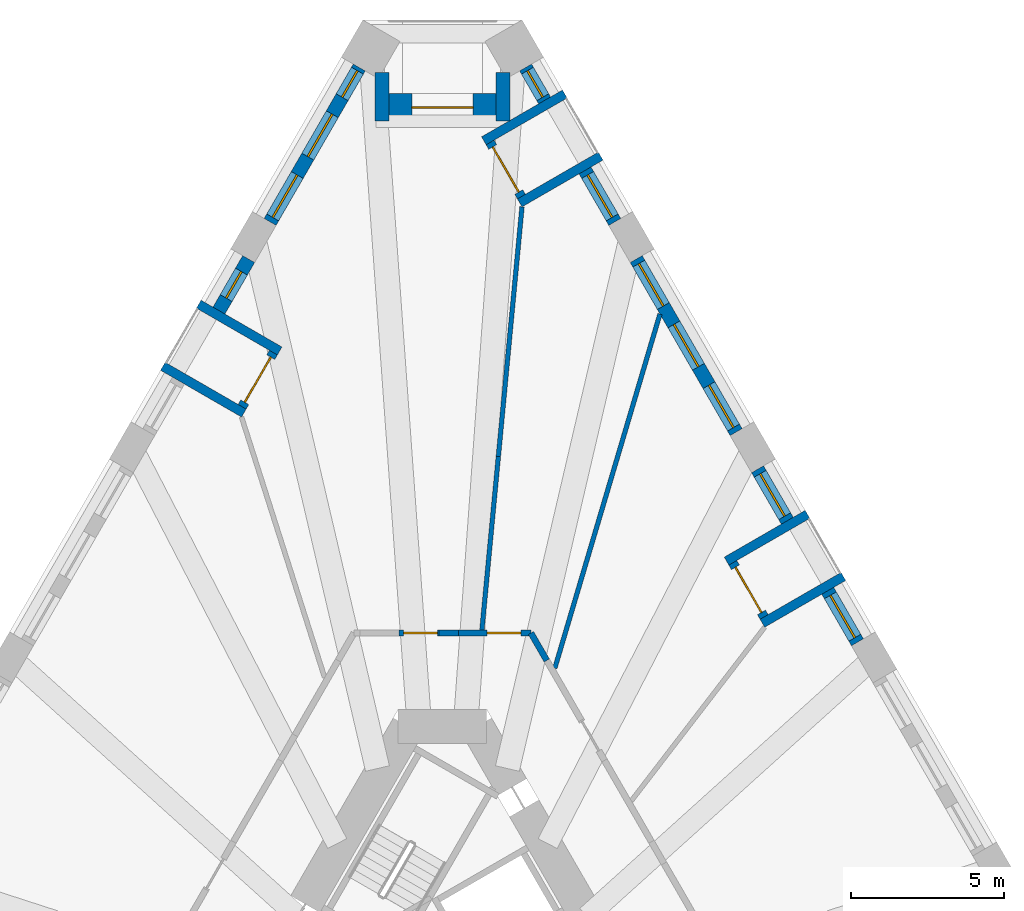
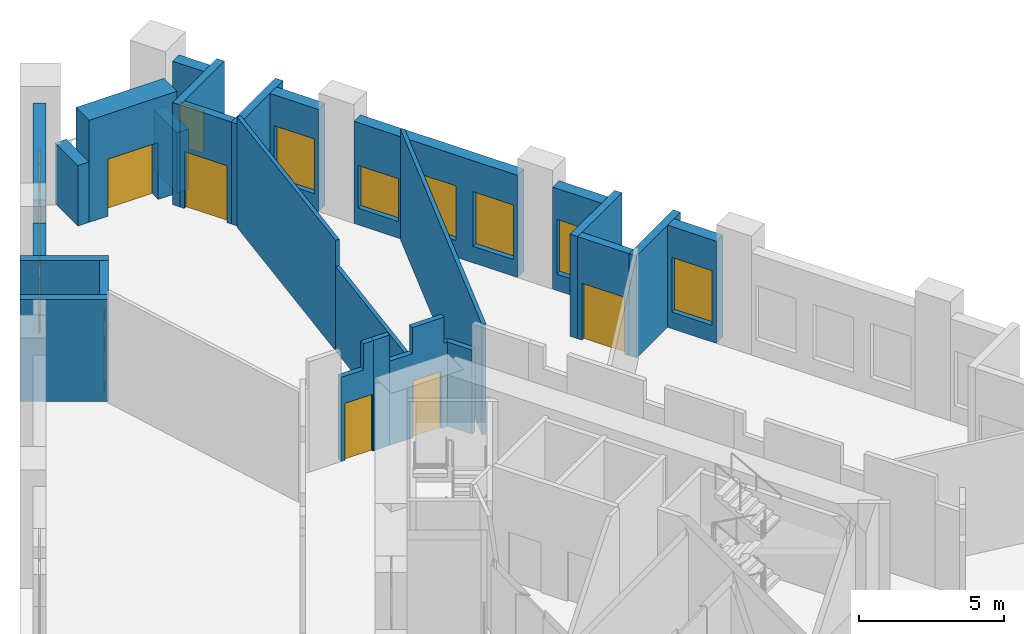
# One storey, part 7 of 12: 26 walls, 11 windows, 6 doors, 17 openings.
"""IFC4 building model written with IfcOpenShell, lengths in metres."""

import ifcopenshell
import ifcopenshell.guid

model = None  # the IFC model being written
_history = None  # IfcOwnerHistory: only IFC2X3 demands one
_inside = {}  # id of a spatial element -> (the spatial element, [elements in it])
_under = {}  # id of a project, library or spatial element -> (it, [spatial elements below it])
_declared = {}  # id of a project -> (the project, [libraries it declares])
_typed = {}  # id of a type object -> (the type object, [elements of that type])
_made_of = {}  # id of a material, layer set ... -> (it, [elements and type objects made of it])


def new_model(schema):
    """Start an empty IFC model of exactly this schema.

    Asked for "IFC4X3", IfcOpenShell would pick the latest addendum, in which some entities
    have other attributes; the version numbers below select the first issue.
    IFC2X3 requires an IfcOwnerHistory on every rooted entity: one is made here for all.
    """
    global model, _history
    if schema == "IFC4X3":
        model = ifcopenshell.file(schema_version=(4, 3, 0, 0))
    else:
        model = ifcopenshell.file(schema=schema)
    _inside.clear()
    _under.clear()
    _declared.clear()
    _typed.clear()
    _made_of.clear()
    _history = None
    if model.schema == "IFC2X3":
        org = make("IfcOrganization", Name="unknown")
        user = make(
            "IfcPersonAndOrganization",
            ThePerson=make("IfcPerson", FamilyName="unknown"),
            TheOrganization=org,
        )
        app = make(
            "IfcApplication",
            ApplicationDeveloper=org,
            Version="unknown",
            ApplicationFullName="unknown",
            ApplicationIdentifier="unknown",
        )
        _history = make(
            "IfcOwnerHistory",
            OwningUser=user,
            OwningApplication=app,
            ChangeAction="ADDED",
            CreationDate=0,
        )
    return model


def make(cls, **values):
    """One entity of the class cls with the attributes given. An attribute that is None is left unset."""
    return model.create_entity(
        cls, **{name: value for name, value in values.items() if value is not None}
    )


def rooted(cls, **values):
    """An entity with a GlobalId (a new one), such as an element, a storey or a relation."""
    return make(cls, GlobalId=ifcopenshell.guid.new(), OwnerHistory=_history, **values)


def si_unit(unit_type, name, prefix=None):
    """IfcSIUnit, for example si_unit("LENGTHUNIT", "METRE", prefix="MILLI")."""
    return make("IfcSIUnit", UnitType=unit_type, Prefix=prefix, Name=name)


def assignment(units):
    """IfcUnitAssignment: the units of a project."""
    return None if units is None else make("IfcUnitAssignment", Units=units)


def point(xyz):
    """IfcCartesianPoint."""
    return None if xyz is None else make("IfcCartesianPoint", Coordinates=xyz)


def direction(xyz):
    """IfcDirection."""
    return None if xyz is None else make("IfcDirection", DirectionRatios=xyz)


def frame(location, z_axis=None, x_axis=None):
    """IfcAxis2Placement3D, a coordinate frame: its origin and axes. An axis left out is left unset."""
    return make(
        "IfcAxis2Placement3D",
        Location=point(location),
        Axis=direction(z_axis),
        RefDirection=direction(x_axis),
    )


def frame_2d(location, x_axis=None):
    """IfcAxis2Placement2D, a coordinate frame in the plane: its origin and x axis."""
    return make(
        "IfcAxis2Placement2D", Location=point(location), RefDirection=direction(x_axis)
    )


def origin():
    """The frame at (0, 0, 0) with its axes left unset."""
    return frame((0.0, 0.0, 0.0))


def place(relative_to, where):
    """IfcLocalPlacement: puts the frame where relative to a parent placement (None: the world)."""
    return make(
        "IfcLocalPlacement", PlacementRelTo=relative_to, RelativePlacement=where
    )


def context(
    kind, dimensions, precision=None, world=None, true_north=None, identifier=None
):
    """IfcGeometricRepresentationContext, for example the 3D "Model" context."""
    return make(
        "IfcGeometricRepresentationContext",
        ContextIdentifier=identifier,
        ContextType=kind,
        CoordinateSpaceDimension=dimensions,
        Precision=precision,
        WorldCoordinateSystem=world,
        TrueNorth=true_north,
    )


def subcontext(parent, identifier, kind, view, scale=None):
    """IfcGeometricRepresentationSubContext, for example "Body" below "Model"."""
    return make(
        "IfcGeometricRepresentationSubContext",
        ContextIdentifier=identifier,
        ContextType=kind,
        ParentContext=parent,
        TargetScale=scale,
        TargetView=view,
    )


def project(units=None, contexts=None):
    """IfcProject with its units and contexts."""
    return rooted(
        "IfcProject",
        Name="project",
        RepresentationContexts=contexts,
        UnitsInContext=assignment(units),
    )


def spatial(cls, under=None, at=None, **own):
    """A site, building, storey or space (cls), placed at a placement, below another one or the project."""
    s = rooted(cls, ObjectPlacement=at, **own)
    if under is not None:
        _under.setdefault(under.id(), (under, []))[1].append(s)
    return s


def polyline(points):
    """IfcPolyline through the points."""
    return make("IfcPolyline", Points=[point(p) for p in points])


def profile(cls, at=None, kind="AREA", **sizes):
    """A parametric profile (cls). Its sizes go by their IFC names, for example OverallWidth=200.0."""
    return make(cls, ProfileType=kind, Position=at, **sizes)


def rectangle(**sizes):
    """IfcRectangleProfileDef."""
    return profile("IfcRectangleProfileDef", **sizes)


def outline(outer, holes=None, kind="AREA"):
    """IfcArbitraryClosedProfileDef: a profile drawn as a closed curve; with holes, ...WithVoids."""
    if holes is None:
        return make("IfcArbitraryClosedProfileDef", ProfileType=kind, OuterCurve=outer)
    return make(
        "IfcArbitraryProfileDefWithVoids",
        ProfileType=kind,
        OuterCurve=outer,
        InnerCurves=holes,
    )


def extrude(swept, where, along, depth):
    """IfcExtrudedAreaSolid: the profile swept, set in the frame where, extruded along a direction by depth."""
    return make(
        "IfcExtrudedAreaSolid",
        SweptArea=swept,
        Position=where,
        ExtrudedDirection=direction(along),
        Depth=depth,
    )


def shape(context_of_items, identifier, shape_type, items):
    """IfcShapeRepresentation: the items that make up one representation, for example the "Body"."""
    return make(
        "IfcShapeRepresentation",
        ContextOfItems=context_of_items,
        RepresentationIdentifier=identifier,
        RepresentationType=shape_type,
        Items=items,
    )


def material(Name=None, Category=None):
    """IfcMaterial."""
    return make("IfcMaterial", Name=Name, Category=Category)


def layer(
    of_material, thickness, ventilated=None, Name=None, Category=None, Priority=None
):
    """IfcMaterialLayer: one layer of a wall or slab, of a material (None: an air gap)."""
    return make(
        "IfcMaterialLayer",
        Material=of_material,
        LayerThickness=thickness,
        IsVentilated=ventilated,
        Name=Name,
        Category=Category,
        Priority=Priority,
    )


def layer_set(layers, Name=None):
    """IfcMaterialLayerSet."""
    return make("IfcMaterialLayerSet", MaterialLayers=layers, LayerSetName=Name)


def made_of(thing, what):
    """Note that an element or type object is made of a material, layer set ...; save() writes the relation."""
    if what is not None:
        _made_of.setdefault(what.id(), (what, []))[1].append(thing)
    return thing


def type_object(cls, material=None, **own):
    """A type object (cls), such as IfcWallType, which elements share."""
    return made_of(rooted(cls, **own), material)


def element(
    cls,
    number,
    at=None,
    inside=None,
    cuts=None,
    type_object=None,
    material=None,
    context=None,
    identifier="Body",
    shape_type=None,
    held_by="IfcProductDefinitionShape",
    body=None,
    shapes=None,
    **own,
):
    """One element of the class cls, such as IfcWall. Its Tag is "e" and its number.

    at: its placement. inside: the storey or other place that contains it. cuts: it is an
    opening in that element (IfcRelVoidsElement). A single representation is given by context,
    identifier, shape_type and body (its items); several are given by shapes. held_by: the class
    of the entity that holds the representations. save() writes the other relations.
    """
    e = rooted(cls, Tag="e%d" % number, ObjectPlacement=at, **own)
    if body is not None:
        shapes = [shape(context, identifier, shape_type, body)]
    if shapes is not None:
        e.Representation = make(held_by, Representations=shapes)
    if inside is not None:
        _inside.setdefault(inside.id(), (inside, []))[1].append(e)
    if cuts is not None:
        rooted(
            "IfcRelVoidsElement", RelatingBuildingElement=cuts, RelatedOpeningElement=e
        )
    if type_object is not None:
        _typed.setdefault(type_object.id(), (type_object, []))[1].append(e)
    return made_of(e, material)


def fill(opening, filler):
    """IfcRelFillsElement: the door or window that sits in an opening."""
    return rooted(
        "IfcRelFillsElement",
        RelatingOpeningElement=opening,
        RelatedBuildingElement=filler,
    )


def aggregate(whole, parts):
    """IfcRelAggregates: a whole, such as a stair, and the parts it consists of."""
    return rooted("IfcRelAggregates", RelatingObject=whole, RelatedObjects=parts)


def save(model, path):
    """Write the relations noted so far, then the file.

    IfcRelAggregates (storeys below a building ...), IfcRelContainedInSpatialStructure (elements
    in a storey), IfcRelDefinesByType, IfcRelAssociatesMaterial and IfcRelDeclares: one each for
    every whole, place, type object, material and project.
    """
    for whole, parts in _under.values():
        aggregate(whole, parts)
    for where, things in _inside.values():
        rooted(
            "IfcRelContainedInSpatialStructure",
            RelatedElements=things,
            RelatingStructure=where,
        )
    for kind, things in _typed.values():
        rooted("IfcRelDefinesByType", RelatedObjects=things, RelatingType=kind)
    for what, things in _made_of.values():
        rooted("IfcRelAssociatesMaterial", RelatedObjects=things, RelatingMaterial=what)
    for by, libraries in _declared.values():
        rooted("IfcRelDeclares", RelatingContext=by, RelatedDefinitions=libraries)
    model.write(path)


model = new_model("IFC4")

# Units and contexts
model_context = context("Model", 3, precision=1e-05, world=origin(), true_north=direction((0.0, 1.0)))
body_context = subcontext(model_context, "Body", "Model", "MODEL_VIEW")
ifc_project = project(units=[si_unit("LENGTHUNIT", "METRE"), si_unit("AREAUNIT", "SQUARE_METRE"), si_unit("VOLUMEUNIT", "CUBIC_METRE"), si_unit("PLANEANGLEUNIT", "RADIAN"), si_unit("MASSUNIT", "GRAM", prefix="KILO")], contexts=[model_context])

# Site, building, storey
site_placement = place(None, origin())
site = spatial("IfcSite", under=ifc_project, at=site_placement, CompositionType="ELEMENT")
building_placement = place(site_placement, origin())
building = spatial("IfcBuilding", under=site, at=building_placement, Name="Tramontana Tower", CompositionType="ELEMENT")
storey_placement = place(building_placement, frame((0.0, 0.0, 25.0)))
storey = spatial("IfcBuildingStorey", under=building, at=storey_placement, Name="L04", CompositionType="ELEMENT", Elevation=25.0)

# Wall
ifc_material_1 = material(Name="Blockwork", Category="masonry")
ifc_layer_1 = layer(ifc_material_1, 0.199951171875)
ifc_layer_set_1 = layer_set([ifc_layer_1], Name="ENTRY WALL 200")
wall_type_1 = type_object("IfcWallType", Name="ENTRY WALL 200", PredefinedType="SOLIDWALL", material=ifc_layer_set_1)
wall_1_placement = place(storey_placement, frame((2.88671875, 13.5, 0.0), z_axis=(0.0, 0.0, 1.0), x_axis=(0.499994660107, -0.866028486751, 0.0)))
element("IfcWall", 1, at=wall_1_placement, inside=storey, type_object=wall_type_1, Name="Wall ew0-0", PredefinedType="SOLIDWALL", context=body_context, shape_type="SweptSolid", body=[
    extrude(rectangle(XDim=1.03515625, YDim=0.199951171875, at=frame_2d((0.517578125, 0.0))), origin(), (0.0, 0.0, 1.0), 3.550048828125),
])

# Wall, opening, door
wall_2_placement = place(storey_placement, frame((-1.422607421875, 13.5, 0.0), z_axis=(0.0, 0.0, 1.0), x_axis=(1.0, 0.0, 0.0)))
wall_2 = element("IfcWall", 2, at=wall_2_placement, inside=storey, type_object=wall_type_1, Name="Wall ew5-2", PredefinedType="SOLIDWALL", context=body_context, shape_type="SweptSolid", body=[
    extrude(outline(polyline([(0.0, 0.0), (1.30419921875, 0.0), (1.30419921875, 4.64990234375), (0.90234375, 4.64990234375), (0.90234375, 3.550048828125), (0.0, 3.550048828125), (0.0, 0.0)])), frame((0.0, 0.10009765625, 0.0), z_axis=(0.0, -1.0, 0.0), x_axis=(1.0, 0.0, 0.0)), (0.0, 0.0, 1.0), 0.199951171875),
])
opening_1_placement = place(wall_2_placement, frame((0.154296875, 0.0, 0.0)))
opening_1 = element("IfcOpeningElement", 3, at=opening_1_placement, cuts=wall_2, Name="Opening L04-10", PredefinedType="OPENING", context=body_context, shape_type="SweptSolid", body=[
    extrude(rectangle(XDim=1.10009765625, YDim=2.39990234375, at=frame_2d((0.550048828125, 1.199951171875))), frame((0.0, 0.10986328125, 0.0), z_axis=(0.0, -1.0, 0.0), x_axis=(1.0, 0.0, 0.0)), (0.0, 0.0, 1.0), 0.219970703125),
])
ifc_material_2 = material(Name="Painted timber", Category="wood")
door_type_1 = type_object("IfcDoorType", Name="DOOR ENTRY 1100", OperationType="SINGLE_SWING_LEFT", PredefinedType="DOOR", material=ifc_material_2)
door_1_placement = place(opening_1_placement, origin())
door_1 = element("IfcDoor", 4, at=door_1_placement, inside=storey, type_object=door_type_1, Name="Door L04-10", OperationType="SINGLE_SWING_RIGHT", OverallHeight=2.39990234375, OverallWidth=1.10009765625, PredefinedType="DOOR", context=body_context, shape_type="SweptSolid", body=[
    extrude(rectangle(XDim=1.10009765625, YDim=2.39990234375, at=frame_2d((0.550048828125, 1.199951171875))), frame((0.0, 0.02490234375, 0.0), z_axis=(0.0, -1.0, 0.0), x_axis=(1.0, 0.0, 0.0)), (0.0, 0.0, 1.0), 0.050048828125),
])
fill(opening_1, door_1)

# Wall
wall_3_placement = place(storey_placement, frame((-0.118408203125, 13.5, 0.0), z_axis=(0.0, 0.0, 1.0), x_axis=(1.0, 0.0, 0.0)))
element("IfcWall", 5, at=wall_3_placement, inside=storey, type_object=wall_type_1, Name="Wall ew5-3", PredefinedType="SOLIDWALL", context=body_context, shape_type="SweptSolid", body=[
    extrude(rectangle(XDim=0.638671875, YDim=0.199951171875, at=frame_2d((0.3193359375, 0.0))), origin(), (0.0, 0.0, 1.0), 4.64990234375),
])

# Wall, opening, door
wall_4_placement = place(storey_placement, frame((0.520263671875, 13.5, 0.0), z_axis=(0.0, 0.0, 1.0), x_axis=(1.0, 0.0, 0.0)))
wall_4 = element("IfcWall", 6, at=wall_4_placement, inside=storey, type_object=wall_type_1, Name="Wall ew5-4", PredefinedType="SOLIDWALL", context=body_context, shape_type="SweptSolid", body=[
    extrude(outline(polyline([(0.0, 0.0), (2.366455078125, 0.0), (2.366455078125, 3.550048828125), (2.169189453125, 3.550048828125), (2.169189453125, 4.64990234375), (0.90234375, 4.64990234375), (0.90234375, 3.550048828125), (0.0, 3.550048828125), (0.0, 0.0)])), frame((0.0, 0.10009765625, 0.0), z_axis=(0.0, -1.0, 0.0), x_axis=(1.0, 0.0, 0.0)), (0.0, 0.0, 1.0), 0.199951171875),
])
opening_2_placement = place(wall_4_placement, frame((0.936279296875, 0.0, 0.0)))
opening_2 = element("IfcOpeningElement", 7, at=opening_2_placement, cuts=wall_4, Name="Opening L04-09", PredefinedType="OPENING", context=body_context, shape_type="SweptSolid", body=[
    extrude(rectangle(XDim=1.10009765625, YDim=2.39990234375, at=frame_2d((0.550048828125, 1.199951171875))), frame((0.0, 0.10986328125, 0.0), z_axis=(0.0, -1.0, 0.0), x_axis=(1.0, 0.0, 0.0)), (0.0, 0.0, 1.0), 0.219970703125),
])
door_2_placement = place(opening_2_placement, origin())
door_2 = element("IfcDoor", 8, at=door_2_placement, inside=storey, type_object=door_type_1, Name="Door L04-09", OperationType="SINGLE_SWING_LEFT", OverallHeight=2.39990234375, OverallWidth=1.10009765625, PredefinedType="DOOR", context=body_context, shape_type="SweptSolid", body=[
    extrude(rectangle(XDim=1.10009765625, YDim=2.39990234375, at=frame_2d((0.550048828125, 1.199951171875))), frame((0.0, 0.02490234375, 0.0), z_axis=(0.0, -1.0, 0.0), x_axis=(1.0, 0.0, 0.0)), (0.0, 0.0, 1.0), 0.050048828125),
])
fill(opening_2, door_2)

# Wall, openings, windows
ifc_material_3 = material(Name="Precast concrete 60 MPa", Category="concrete")
ifc_layer_2 = layer(ifc_material_3, 0.449951171875)
ifc_layer_set_2 = layer_set([ifc_layer_2], Name="Precast concrete 60 MPa, 450 mm")
wall_type_2 = type_object("IfcWallType", Name="EW1 Stone-faced precast wall 450", PredefinedType="SOLIDWALL", material=ifc_layer_set_2)
wall_5_placement = place(storey_placement, frame((-2.713623046875, 31.949951171875, 0.0), z_axis=(0.0, 0.0, 1.0), x_axis=(-0.500007002644, -0.866021360769, 0.0)))
wall_5 = element("IfcWall", 9, at=wall_5_placement, inside=storey, type_object=wall_type_2, Name="External wall L04 face 0 bay 1", PredefinedType="SOLIDWALL", context=body_context, shape_type="SweptSolid", body=[
    extrude(rectangle(XDim=5.81787109375, YDim=0.449951171875, at=frame_2d((2.908935546875, 0.0))), origin(), (0.0, 0.0, 1.0), 4.300048828125),
])
opening_3_placement = place(wall_5_placement, frame((0.11962890625, 0.0, 0.699951171875)))
opening_3 = element("IfcOpeningElement", 10, at=opening_3_placement, cuts=wall_5, Name="Opening N1L", PredefinedType="OPENING", context=body_context, shape_type="SweptSolid", body=[
    extrude(rectangle(XDim=1.0, YDim=1.800048828125, at=frame_2d((0.5, 0.89990234375))), frame((0.0, 0.23486328125, 0.0), z_axis=(0.0, -1.0, 0.0), x_axis=(1.0, 0.0, 0.0)), (0.0, 0.0, 1.0), 0.469970703125),
])
opening_4_placement = place(wall_5_placement, frame((1.759033203125, 0.0, 0.699951171875)))
opening_4 = element("IfcOpeningElement", 11, at=opening_4_placement, cuts=wall_5, Name="Opening M1", PredefinedType="OPENING", context=body_context, shape_type="SweptSolid", body=[
    extrude(rectangle(XDim=1.60009765625, YDim=2.300048828125, at=frame_2d((0.800048828125, 1.14990234375))), frame((0.0, 0.23486328125, 0.0), z_axis=(0.0, -1.0, 0.0), x_axis=(1.0, 0.0, 0.0)), (0.0, 0.0, 1.0), 0.469970703125),
])
opening_5_placement = place(wall_5_placement, frame((4.04833984375, 0.0, 0.699951171875)))
opening_5 = element("IfcOpeningElement", 12, at=opening_5_placement, cuts=wall_5, Name="Opening M1", PredefinedType="OPENING", context=body_context, shape_type="SweptSolid", body=[
    extrude(rectangle(XDim=1.60009765625, YDim=2.300048828125, at=frame_2d((0.800048828125, 1.14990234375))), frame((0.0, 0.23486328125, 0.0), z_axis=(0.0, -1.0, 0.0), x_axis=(1.0, 0.0, 0.0)), (0.0, 0.0, 1.0), 0.469970703125),
])
ifc_material_4 = material(Name="Aluminum frame, double glazing unit", Category="aluminium")
window_type_1 = type_object("IfcWindowType", Name="M1 Window 1.6 x 2.3", PartitioningType="SINGLE_PANEL", PredefinedType="WINDOW", material=ifc_material_4)
window_1_placement = place(opening_4_placement, origin())
window_1 = element("IfcWindow", 13, at=window_1_placement, inside=storey, type_object=window_type_1, Name="Window M1 L04 face 0 module 2", OverallHeight=2.300048828125, OverallWidth=1.60009765625, PartitioningType="SINGLE_PANEL", PredefinedType="WINDOW", context=body_context, shape_type="SweptSolid", body=[
    extrude(rectangle(XDim=1.60009765625, YDim=2.300048828125, at=frame_2d((0.800048828125, 1.14990234375))), frame((0.0, 0.030029296875, 0.0), z_axis=(0.0, -1.0, 0.0), x_axis=(1.0, 0.0, 0.0)), (0.0, 0.0, 1.0), 0.06005859375),
])
fill(opening_4, window_1)
window_2_placement = place(opening_5_placement, origin())
window_2 = element("IfcWindow", 14, at=window_2_placement, inside=storey, type_object=window_type_1, Name="Window M1 L04 face 0 module 3", OverallHeight=2.300048828125, OverallWidth=1.60009765625, PartitioningType="SINGLE_PANEL", PredefinedType="WINDOW", context=body_context, shape_type="SweptSolid", body=[
    extrude(rectangle(XDim=1.60009765625, YDim=2.300048828125, at=frame_2d((0.800048828125, 1.14990234375))), frame((0.0, 0.030029296875, 0.0), z_axis=(0.0, -1.0, 0.0), x_axis=(1.0, 0.0, 0.0)), (0.0, 0.0, 1.0), 0.06005859375),
])
fill(opening_5, window_2)
ifc_material_5 = material(Name="Aluminum frame, double glazing unit", Category="aluminium")
window_type_2 = type_object("IfcWindowType", Name="N1L Window 1 x 1.8", PartitioningType="SINGLE_PANEL", PredefinedType="WINDOW", material=ifc_material_5)
window_3_placement = place(opening_3_placement, origin())
window_3 = element("IfcWindow", 15, at=window_3_placement, inside=storey, type_object=window_type_2, Name="Window N1L L04 face 0 module 1", OverallHeight=1.800048828125, OverallWidth=1.0, PartitioningType="SINGLE_PANEL", PredefinedType="WINDOW", context=body_context, shape_type="SweptSolid", body=[
    extrude(rectangle(XDim=1.0, YDim=1.800048828125, at=frame_2d((0.5, 0.89990234375))), frame((0.0, 0.030029296875, 0.0), z_axis=(0.0, -1.0, 0.0), x_axis=(1.0, 0.0, 0.0)), (0.0, 0.0, 1.0), 0.06005859375),
])
fill(opening_3, window_3)

# Wall, opening, window
wall_6_placement = place(storey_placement, frame((-6.322509765625, 25.69921875, 0.0), z_axis=(0.0, 0.0, 1.0), x_axis=(-0.49998396455, -0.866034661658, 0.0)))
wall_6 = element("IfcWall", 16, at=wall_6_placement, inside=storey, type_object=wall_type_2, Name="External wall L04 face 0 bay 2", PredefinedType="SOLIDWALL", context=body_context, shape_type="SweptSolid", body=[
    extrude(rectangle(XDim=1.939453125, YDim=0.449951171875, at=frame_2d((0.9697265625, 0.0))), origin(), (0.0, 0.0, 1.0), 4.300048828125),
])
opening_6_placement = place(wall_6_placement, frame((0.4697265625, 0.0, 0.699951171875)))
opening_6 = element("IfcOpeningElement", 17, at=opening_6_placement, cuts=wall_6, Name="Opening N1", PredefinedType="OPENING", context=body_context, shape_type="SweptSolid", body=[
    extrude(rectangle(XDim=1.0, YDim=2.300048828125, at=frame_2d((0.5, 1.14990234375))), frame((0.0, 0.23486328125, 0.0), z_axis=(0.0, -1.0, 0.0), x_axis=(1.0, 0.0, 0.0)), (0.0, 0.0, 1.0), 0.469970703125),
])
ifc_material_6 = material(Name="Aluminum frame, double glazing unit", Category="aluminium")
window_type_3 = type_object("IfcWindowType", Name="N1 Window 1 x 2.3", PartitioningType="SINGLE_PANEL", PredefinedType="WINDOW", material=ifc_material_6)
window_4_placement = place(opening_6_placement, origin())
window_4 = element("IfcWindow", 18, at=window_4_placement, inside=storey, type_object=window_type_3, Name="Window N1 L04 face 0 module 4", OverallHeight=2.300048828125, OverallWidth=1.0, PartitioningType="SINGLE_PANEL", PredefinedType="WINDOW", context=body_context, shape_type="SweptSolid", body=[
    extrude(rectangle(XDim=1.0, YDim=2.300048828125, at=frame_2d((0.5, 1.14990234375))), frame((0.0, 0.030029296875, 0.0), z_axis=(0.0, -1.0, 0.0), x_axis=(1.0, 0.0, 0.0)), (0.0, 0.0, 1.0), 0.06005859375),
])
fill(opening_6, window_4)

wall_7_placement = place(storey_placement, frame((13.54052734375, 13.197265625, 0.0), z_axis=(0.0, 0.0, 1.0), x_axis=(-0.500038474733, 0.866003189247, 0.0)))
wall_7 = element("IfcWall", 19, at=wall_7_placement, inside=storey, type_object=wall_type_2, Name="External wall L04 face 2 bay 5", PredefinedType="SOLIDWALL", context=body_context, shape_type="SweptSolid", body=[
    extrude(rectangle(XDim=1.939208984375, YDim=0.449951171875, at=frame_2d((0.9697265625, 0.0))), origin(), (0.0, 0.0, 1.0), 4.300048828125),
])
opening_7_placement = place(wall_7_placement, frame((0.169677734375, 0.0, 0.699951171875)))
opening_7 = element("IfcOpeningElement", 20, at=opening_7_placement, cuts=wall_7, Name="Opening M1", PredefinedType="OPENING", context=body_context, shape_type="SweptSolid", body=[
    extrude(rectangle(XDim=1.60009765625, YDim=2.300048828125, at=frame_2d((0.800048828125, 1.14990234375))), frame((0.0, 0.23486328125, 0.0), z_axis=(0.0, -1.0, 0.0), x_axis=(1.0, 0.0, 0.0)), (0.0, 0.0, 1.0), 0.469970703125),
])
window_5_placement = place(opening_7_placement, origin())
window_5 = element("IfcWindow", 21, at=window_5_placement, inside=storey, type_object=window_type_1, Name="Window M1 L04 face 2 module 13", OverallHeight=2.300048828125, OverallWidth=1.60009765625, PartitioningType="SINGLE_PANEL", PredefinedType="WINDOW", context=body_context, shape_type="SweptSolid", body=[
    extrude(rectangle(XDim=1.60009765625, YDim=2.300048828125, at=frame_2d((0.800048828125, 1.14990234375))), frame((0.0, 0.030029296875, 0.0), z_axis=(0.0, -1.0, 0.0), x_axis=(1.0, 0.0, 0.0)), (0.0, 0.0, 1.0), 0.06005859375),
])
fill(opening_7, window_5)

wall_8_placement = place(storey_placement, frame((11.251220703125, 17.16259765625, 0.0), z_axis=(0.0, 0.0, 1.0), x_axis=(-0.500038474733, 0.866003189247, 0.0)))
wall_8 = element("IfcWall", 22, at=wall_8_placement, inside=storey, type_object=wall_type_2, Name="External wall L04 face 2 bay 5", PredefinedType="SOLIDWALL", context=body_context, shape_type="SweptSolid", body=[
    extrude(rectangle(XDim=1.939208984375, YDim=0.449951171875, at=frame_2d((0.9697265625, 0.0))), origin(), (0.0, 0.0, 1.0), 4.300048828125),
])
opening_8_placement = place(wall_8_placement, frame((0.169677734375, 0.0, 0.699951171875)))
opening_8 = element("IfcOpeningElement", 23, at=opening_8_placement, cuts=wall_8, Name="Opening M1", PredefinedType="OPENING", context=body_context, shape_type="SweptSolid", body=[
    extrude(rectangle(XDim=1.60009765625, YDim=2.300048828125, at=frame_2d((0.800048828125, 1.14990234375))), frame((0.0, 0.23486328125, 0.0), z_axis=(0.0, -1.0, 0.0), x_axis=(1.0, 0.0, 0.0)), (0.0, 0.0, 1.0), 0.469970703125),
])
window_6_placement = place(opening_8_placement, origin())
window_6 = element("IfcWindow", 24, at=window_6_placement, inside=storey, type_object=window_type_1, Name="Window M1 L04 face 2 module 15", OverallHeight=2.300048828125, OverallWidth=1.60009765625, PartitioningType="SINGLE_PANEL", PredefinedType="WINDOW", context=body_context, shape_type="SweptSolid", body=[
    extrude(rectangle(XDim=1.60009765625, YDim=2.300048828125, at=frame_2d((0.800048828125, 1.14990234375))), frame((0.0, 0.030029296875, 0.0), z_axis=(0.0, -1.0, 0.0), x_axis=(1.0, 0.0, 0.0)), (0.0, 0.0, 1.0), 0.06005859375),
])
fill(opening_8, window_6)

# Wall, openings, windows
wall_9_placement = place(storey_placement, frame((9.58154296875, 20.054443359375, 0.0), z_axis=(0.0, 0.0, 1.0), x_axis=(-0.500002371706, 0.866024034475, 0.0)))
wall_9 = element("IfcWall", 25, at=wall_9_placement, inside=storey, type_object=wall_type_2, Name="External wall L04 face 2 bay 6", PredefinedType="SOLIDWALL", context=body_context, shape_type="SweptSolid", body=[
    extrude(rectangle(XDim=6.51806640625, YDim=0.449951171875, at=frame_2d((3.259033203125, 0.0))), origin(), (0.0, 0.0, 1.0), 4.300048828125),
])
opening_9_placement = place(wall_9_placement, frame((0.169677734375, 0.0, 0.699951171875)))
opening_9 = element("IfcOpeningElement", 26, at=opening_9_placement, cuts=wall_9, Name="Opening M1", PredefinedType="OPENING", context=body_context, shape_type="SweptSolid", body=[
    extrude(rectangle(XDim=1.60009765625, YDim=2.300048828125, at=frame_2d((0.800048828125, 1.14990234375))), frame((0.0, 0.23486328125, 0.0), z_axis=(0.0, -1.0, 0.0), x_axis=(1.0, 0.0, 0.0)), (0.0, 0.0, 1.0), 0.469970703125),
])
opening_10_placement = place(wall_9_placement, frame((2.458984375, 0.0, 0.699951171875)))
opening_10 = element("IfcOpeningElement", 27, at=opening_10_placement, cuts=wall_9, Name="Opening M1", PredefinedType="OPENING", context=body_context, shape_type="SweptSolid", body=[
    extrude(rectangle(XDim=1.60009765625, YDim=2.300048828125, at=frame_2d((0.800048828125, 1.14990234375))), frame((0.0, 0.23486328125, 0.0), z_axis=(0.0, -1.0, 0.0), x_axis=(1.0, 0.0, 0.0)), (0.0, 0.0, 1.0), 0.469970703125),
])
opening_11_placement = place(wall_9_placement, frame((4.748291015625, 0.0, 0.699951171875)))
opening_11 = element("IfcOpeningElement", 28, at=opening_11_placement, cuts=wall_9, Name="Opening M1L", PredefinedType="OPENING", context=body_context, shape_type="SweptSolid", body=[
    extrude(rectangle(XDim=1.60009765625, YDim=1.800048828125, at=frame_2d((0.800048828125, 0.89990234375))), frame((0.0, 0.23486328125, 0.0), z_axis=(0.0, -1.0, 0.0), x_axis=(1.0, 0.0, 0.0)), (0.0, 0.0, 1.0), 0.469970703125),
])
window_7_placement = place(opening_9_placement, origin())
window_7 = element("IfcWindow", 29, at=window_7_placement, inside=storey, type_object=window_type_1, Name="Window M1 L04 face 2 module 16", OverallHeight=2.300048828125, OverallWidth=1.60009765625, PartitioningType="SINGLE_PANEL", PredefinedType="WINDOW", context=body_context, shape_type="SweptSolid", body=[
    extrude(rectangle(XDim=1.60009765625, YDim=2.300048828125, at=frame_2d((0.800048828125, 1.14990234375))), frame((0.0, 0.030029296875, 0.0), z_axis=(0.0, -1.0, 0.0), x_axis=(1.0, 0.0, 0.0)), (0.0, 0.0, 1.0), 0.06005859375),
])
fill(opening_9, window_7)
window_8_placement = place(opening_10_placement, origin())
window_8 = element("IfcWindow", 30, at=window_8_placement, inside=storey, type_object=window_type_1, Name="Window M1 L04 face 2 module 17", OverallHeight=2.300048828125, OverallWidth=1.60009765625, PartitioningType="SINGLE_PANEL", PredefinedType="WINDOW", context=body_context, shape_type="SweptSolid", body=[
    extrude(rectangle(XDim=1.60009765625, YDim=2.300048828125, at=frame_2d((0.800048828125, 1.14990234375))), frame((0.0, 0.030029296875, 0.0), z_axis=(0.0, -1.0, 0.0), x_axis=(1.0, 0.0, 0.0)), (0.0, 0.0, 1.0), 0.06005859375),
])
fill(opening_10, window_8)
ifc_material_7 = material(Name="Aluminum frame, double glazing unit", Category="aluminium")
window_type_4 = type_object("IfcWindowType", Name="M1L Window 1.6 x 1.8", PartitioningType="SINGLE_PANEL", PredefinedType="WINDOW", material=ifc_material_7)
window_9_placement = place(opening_11_placement, origin())
window_9 = element("IfcWindow", 31, at=window_9_placement, inside=storey, type_object=window_type_4, Name="Window M1L L04 face 2 module 18", OverallHeight=1.800048828125, OverallWidth=1.60009765625, PartitioningType="SINGLE_PANEL", PredefinedType="WINDOW", context=body_context, shape_type="SweptSolid", body=[
    extrude(rectangle(XDim=1.60009765625, YDim=1.800048828125, at=frame_2d((0.800048828125, 0.89990234375))), frame((0.0, 0.030029296875, 0.0), z_axis=(0.0, -1.0, 0.0), x_axis=(1.0, 0.0, 0.0)), (0.0, 0.0, 1.0), 0.06005859375),
])
fill(opening_11, window_9)

# Wall, opening, window
wall_10_placement = place(storey_placement, frame((5.62255859375, 26.91162109375, 0.0), z_axis=(0.0, 0.0, 1.0), x_axis=(-0.500038474733, 0.866003189247, 0.0)))
wall_10 = element("IfcWall", 32, at=wall_10_placement, inside=storey, type_object=wall_type_2, Name="External wall L04 face 2 bay 7", PredefinedType="SOLIDWALL", context=body_context, shape_type="SweptSolid", body=[
    extrude(rectangle(XDim=1.939208984375, YDim=0.449951171875, at=frame_2d((0.9697265625, 0.0))), origin(), (0.0, 0.0, 1.0), 4.300048828125),
])
opening_12_placement = place(wall_10_placement, frame((0.169677734375, 0.0, 0.699951171875)))
opening_12 = element("IfcOpeningElement", 33, at=opening_12_placement, cuts=wall_10, Name="Opening M1", PredefinedType="OPENING", context=body_context, shape_type="SweptSolid", body=[
    extrude(rectangle(XDim=1.60009765625, YDim=2.300048828125, at=frame_2d((0.800048828125, 1.14990234375))), frame((0.0, 0.23486328125, 0.0), z_axis=(0.0, -1.0, 0.0), x_axis=(1.0, 0.0, 0.0)), (0.0, 0.0, 1.0), 0.469970703125),
])
window_10_placement = place(opening_12_placement, origin())
window_10 = element("IfcWindow", 34, at=window_10_placement, inside=storey, type_object=window_type_1, Name="Window M1 L04 face 2 module 19", OverallHeight=2.300048828125, OverallWidth=1.60009765625, PartitioningType="SINGLE_PANEL", PredefinedType="WINDOW", context=body_context, shape_type="SweptSolid", body=[
    extrude(rectangle(XDim=1.60009765625, YDim=2.300048828125, at=frame_2d((0.800048828125, 1.14990234375))), frame((0.0, 0.030029296875, 0.0), z_axis=(0.0, -1.0, 0.0), x_axis=(1.0, 0.0, 0.0)), (0.0, 0.0, 1.0), 0.06005859375),
])
fill(opening_12, window_10)

wall_11_placement = place(storey_placement, frame((3.333251953125, 30.876708984375, 0.0), z_axis=(0.0, 0.0, 1.0), x_axis=(-0.499995303914, 0.866028115054, 0.0)))
wall_11 = element("IfcWall", 35, at=wall_11_placement, inside=storey, type_object=wall_type_2, Name="External wall L04 face 2 bay 7", PredefinedType="SOLIDWALL", context=body_context, shape_type="SweptSolid", body=[
    extrude(rectangle(XDim=1.2392578125, YDim=0.449951171875, at=frame_2d((0.61962890625, 0.0))), origin(), (0.0, 0.0, 1.0), 4.300048828125),
])
opening_13_placement = place(wall_11_placement, frame((0.11962890625, 0.0, 0.699951171875)))
opening_13 = element("IfcOpeningElement", 36, at=opening_13_placement, cuts=wall_11, Name="Opening N1L", PredefinedType="OPENING", context=body_context, shape_type="SweptSolid", body=[
    extrude(rectangle(XDim=1.0, YDim=1.800048828125, at=frame_2d((0.5, 0.89990234375))), frame((0.0, 0.23486328125, 0.0), z_axis=(0.0, -1.0, 0.0), x_axis=(1.0, 0.0, 0.0)), (0.0, 0.0, 1.0), 0.469970703125),
])
window_11_placement = place(opening_13_placement, origin())
window_11 = element("IfcWindow", 37, at=window_11_placement, inside=storey, type_object=window_type_2, Name="Window N1L L04 face 2 module 21", OverallHeight=1.800048828125, OverallWidth=1.0, PartitioningType="SINGLE_PANEL", PredefinedType="WINDOW", context=body_context, shape_type="SweptSolid", body=[
    extrude(rectangle(XDim=1.0, YDim=1.800048828125, at=frame_2d((0.5, 0.89990234375))), frame((0.0, 0.030029296875, 0.0), z_axis=(0.0, -1.0, 0.0), x_axis=(1.0, 0.0, 0.0)), (0.0, 0.0, 1.0), 0.06005859375),
])
fill(opening_13, window_11)

# Walls
for number, where, z_axis, x_axis, name in (
    (38, (-1.97509765625, 31.779296875, 0.0), (0.0, 0.0, 1.0), (0.0, -1.0, 0.0), "Corner loggia side wall L04 K00l"),
    (39, (1.97509765625, 31.779296875, 0.0), (0.0, 0.0, 1.0), (0.0, -1.0, 0.0), "Corner loggia side wall L04 K00r"),
):
    element("IfcWall", number, at=place(storey_placement, frame(where, z_axis=z_axis, x_axis=x_axis)), inside=storey, type_object=wall_type_2, Name=name, PredefinedType="SOLIDWALL", context=body_context, shape_type="SweptSolid", body=[
        extrude(rectangle(XDim=1.579345703125, YDim=0.449951171875, at=frame_2d((0.78955078125, 0.0))), origin(), (0.0, 0.0, 1.0), 2.550048828125),
    ])

# Wall, opening, door
ifc_material_8 = material(Name="Precast concrete 60 MPa", Category="concrete")
ifc_layer_3 = layer(ifc_material_8, 0.89990234375)
ifc_layer_set_3 = layer_set([ifc_layer_3], Name="EW2 Stone-faced corner loggia wall 900")
wall_type_3 = type_object("IfcWallType", Name="EW2 Stone-faced corner loggia wall 900", PredefinedType="SOLIDWALL", material=ifc_layer_set_3)
wall_12_placement = place(storey_placement, frame((-1.75, 30.64990234375, 0.0), z_axis=(0.0, 0.0, 1.0), x_axis=(1.0, 0.0, 0.0)))
wall_12 = element("IfcWall", 40, at=wall_12_placement, inside=storey, type_object=wall_type_3, Name="Corner loggia wall L04 K00", PredefinedType="SOLIDWALL", context=body_context, shape_type="SweptSolid", body=[
    extrude(rectangle(XDim=3.5, YDim=0.89990234375, at=frame_2d((1.75, 0.0))), origin(), (0.0, 0.0, 1.0), 4.300048828125),
])
opening_14_placement = place(wall_12_placement, frame((0.75, 0.0, 0.0)))
opening_14 = element("IfcOpeningElement", 41, at=opening_14_placement, cuts=wall_12, Name="Opening BD-00C", PredefinedType="OPENING", context=body_context, shape_type="SweptSolid", body=[
    extrude(rectangle(XDim=2.0, YDim=2.39990234375, at=frame_2d((1.0, 1.199951171875))), frame((0.0, 0.4599609375, 0.0), z_axis=(0.0, -1.0, 0.0), x_axis=(1.0, 0.0, 0.0)), (0.0, 0.0, 1.0), 0.919921875),
])
ifc_material_9 = material(Name="Aluminum frame, double glazing unit", Category="aluminium")
door_type_2 = type_object("IfcDoorType", Name="BC1 Sliding door 2 x 2.4", OperationType="SLIDING_TO_LEFT", PredefinedType="DOOR", material=ifc_material_9)
door_3_placement = place(opening_14_placement, origin())
door_3 = element("IfcDoor", 42, at=door_3_placement, inside=storey, type_object=door_type_2, Name="Corner loggia door L04 K00", OperationType="SLIDING_TO_LEFT", OverallHeight=2.39990234375, OverallWidth=2.0, PredefinedType="DOOR", context=body_context, shape_type="SweptSolid", body=[
    extrude(rectangle(XDim=2.0, YDim=2.39990234375, at=frame_2d((1.0, 1.199951171875))), frame((0.0, 0.02490234375, 0.0), z_axis=(0.0, -1.0, 0.0), x_axis=(1.0, 0.0, 0.0)), (0.0, 0.0, 1.0), 0.050048828125),
])
fill(opening_14, door_3)

ifc_material_10 = material(Name="Precast concrete 60 MPa", Category="concrete")
ifc_layer_4 = layer(ifc_material_10, 0.300048828125)
ifc_layer_set_4 = layer_set([ifc_layer_4], Name="LW1 Stone-faced loggia wall 300")
wall_type_4 = type_object("IfcWallType", Name="LW1 Stone-faced loggia wall 300", PredefinedType="SOLIDWALL", material=ifc_layer_set_4)
wall_13_placement = place(storey_placement, frame((-5.51513671875, 22.647216796875, 0.0), z_axis=(0.0, 0.0, 1.0), x_axis=(-0.500092081068, -0.865972234227, 0.0)))
wall_13 = element("IfcWall", 43, at=wall_13_placement, inside=storey, type_object=wall_type_4, Name="Loggia wall L04 G0S0.4", PredefinedType="SOLIDWALL", context=body_context, shape_type="SweptSolid", body=[
    extrude(rectangle(XDim=2.0390625, YDim=0.300048828125, at=frame_2d((1.01953125, 0.0))), origin(), (0.0, 0.0, 1.0), 4.300048828125),
])
opening_15_placement = place(wall_13_placement, frame((0.169677734375, 0.0, 0.0)))
opening_15 = element("IfcOpeningElement", 44, at=opening_15_placement, cuts=wall_13, Name="Opening BD-0S0-04", PredefinedType="OPENING", context=body_context, shape_type="SweptSolid", body=[
    extrude(rectangle(XDim=1.699951171875, YDim=2.39990234375, at=frame_2d((0.85009765625, 1.199951171875))), frame((0.0, 0.159912109375, 0.0), z_axis=(0.0, -1.0, 0.0), x_axis=(1.0, 0.0, 0.0)), (0.0, 0.0, 1.0), 0.320068359375),
])
ifc_material_11 = material(Name="Aluminum frame, double glazing unit", Category="aluminium")
door_type_3 = type_object("IfcDoorType", Name="BD1 Sliding door 1.7 x 2.4", OperationType="SLIDING_TO_LEFT", PredefinedType="DOOR", material=ifc_material_11)
door_4_placement = place(opening_15_placement, origin())
door_4 = element("IfcDoor", 45, at=door_4_placement, inside=storey, type_object=door_type_3, Name="Loggia door L04 G0S0.4", OperationType="SLIDING_TO_LEFT", OverallHeight=2.39990234375, OverallWidth=1.699951171875, PredefinedType="DOOR", context=body_context, shape_type="SweptSolid", body=[
    extrude(rectangle(XDim=1.699951171875, YDim=2.39990234375, at=frame_2d((0.85009765625, 1.199951171875))), frame((0.0, 0.02490234375, 0.0), z_axis=(0.0, -1.0, 0.0), x_axis=(1.0, 0.0, 0.0)), (0.0, 0.0, 1.0), 0.050048828125),
])
fill(opening_15, door_4)

# Walls
for number, where, z_axis, x_axis, name in (
    (46, (-7.95166015625, 24.227294921875, 0.0), (0.0, 0.0, 1.0), (0.8660029625, -0.500038867431, 0.0), "Loggia return L04 G0S0.4a"),
    (47, (-9.121337890625, 22.201416015625, 0.0), (0.0, 0.0, 1.0), (0.8660029625, -0.500038867431, 0.0), "Loggia return L04 G0S0.4b"),
):
    element("IfcWall", number, at=place(storey_placement, frame(where, z_axis=z_axis, x_axis=x_axis)), inside=storey, type_object=wall_type_4, Name=name, PredefinedType="SOLIDWALL", context=body_context, shape_type="SweptSolid", body=[
        extrude(rectangle(XDim=3.050048828125, YDim=0.300048828125, at=frame_2d((1.52490234375, 0.0))), origin(), (0.0, 0.0, 1.0), 4.300048828125),
    ])

# Wall, opening, door
wall_14_placement = place(storey_placement, frame((10.493896484375, 14.024169921875, 0.0), z_axis=(0.0, 0.0, 1.0), x_axis=(-0.500040236659, 0.866002171892, 0.0)))
wall_14 = element("IfcWall", 48, at=wall_14_placement, inside=storey, type_object=wall_type_4, Name="Loggia wall L04 G0S2.13", PredefinedType="SOLIDWALL", context=body_context, shape_type="SweptSolid", body=[
    extrude(rectangle(XDim=2.039306640625, YDim=0.300048828125, at=frame_2d((1.01953125, 0.0))), origin(), (0.0, 0.0, 1.0), 4.300048828125),
])
opening_16_placement = place(wall_14_placement, frame((0.169677734375, 0.0, 0.0)))
opening_16 = element("IfcOpeningElement", 49, at=opening_16_placement, cuts=wall_14, Name="Opening BD-0S2-13", PredefinedType="OPENING", context=body_context, shape_type="SweptSolid", body=[
    extrude(rectangle(XDim=1.699951171875, YDim=2.39990234375, at=frame_2d((0.85009765625, 1.199951171875))), frame((0.0, 0.159912109375, 0.0), z_axis=(0.0, -1.0, 0.0), x_axis=(1.0, 0.0, 0.0)), (0.0, 0.0, 1.0), 0.320068359375),
])
door_5_placement = place(opening_16_placement, origin())
door_5 = element("IfcDoor", 50, at=door_5_placement, inside=storey, type_object=door_type_3, Name="Loggia door L04 G0S2.13", OperationType="SLIDING_TO_LEFT", OverallHeight=2.39990234375, OverallWidth=1.699951171875, PredefinedType="DOOR", context=body_context, shape_type="SweptSolid", body=[
    extrude(rectangle(XDim=1.699951171875, YDim=2.39990234375, at=frame_2d((0.85009765625, 1.199951171875))), frame((0.0, 0.02490234375, 0.0), z_axis=(0.0, -1.0, 0.0), x_axis=(1.0, 0.0, 0.0)), (0.0, 0.0, 1.0), 0.050048828125),
])
fill(opening_16, door_5)

# Walls
for number, where, z_axis, x_axis, name in (
    (51, (13.080322265625, 15.34423828125, 0.0), (0.0, 0.0, 1.0), (-0.8660029625, -0.500038867431, 0.0), "Loggia return L04 G0S2.13a"),
    (52, (11.91064453125, 17.3701171875, 0.0), (0.0, 0.0, 1.0), (-0.866037623948, -0.499978833458, 0.0), "Loggia return L04 G0S2.13b"),
):
    element("IfcWall", number, at=place(storey_placement, frame(where, z_axis=z_axis, x_axis=x_axis)), inside=storey, type_object=wall_type_4, Name=name, PredefinedType="SOLIDWALL", context=body_context, shape_type="SweptSolid", body=[
        extrude(rectangle(XDim=3.050048828125, YDim=0.300048828125, at=frame_2d((1.52490234375, 0.0))), origin(), (0.0, 0.0, 1.0), 4.300048828125),
    ])

# Wall, opening, door
wall_15_placement = place(storey_placement, frame((2.575927734375, 27.73828125, 0.0), z_axis=(0.0, 0.0, 1.0), x_axis=(-0.500040236659, 0.866002171892, 0.0)))
wall_15 = element("IfcWall", 53, at=wall_15_placement, inside=storey, type_object=wall_type_4, Name="Loggia wall L04 G0S2.19", PredefinedType="SOLIDWALL", context=body_context, shape_type="SweptSolid", body=[
    extrude(rectangle(XDim=2.039306640625, YDim=0.300048828125, at=frame_2d((1.01953125, 0.0))), origin(), (0.0, 0.0, 1.0), 4.300048828125),
])
opening_17_placement = place(wall_15_placement, frame((0.169677734375, 0.0, 0.0)))
opening_17 = element("IfcOpeningElement", 54, at=opening_17_placement, cuts=wall_15, Name="Opening BD-0S2-19", PredefinedType="OPENING", context=body_context, shape_type="SweptSolid", body=[
    extrude(rectangle(XDim=1.699951171875, YDim=2.39990234375, at=frame_2d((0.85009765625, 1.199951171875))), frame((0.0, 0.159912109375, 0.0), z_axis=(0.0, -1.0, 0.0), x_axis=(1.0, 0.0, 0.0)), (0.0, 0.0, 1.0), 0.320068359375),
])
door_6_placement = place(opening_17_placement, origin())
door_6 = element("IfcDoor", 55, at=door_6_placement, inside=storey, type_object=door_type_3, Name="Loggia door L04 G0S2.19", OperationType="SLIDING_TO_LEFT", OverallHeight=2.39990234375, OverallWidth=1.699951171875, PredefinedType="DOOR", context=body_context, shape_type="SweptSolid", body=[
    extrude(rectangle(XDim=1.699951171875, YDim=2.39990234375, at=frame_2d((0.85009765625, 1.199951171875))), frame((0.0, 0.02490234375, 0.0), z_axis=(0.0, -1.0, 0.0), x_axis=(1.0, 0.0, 0.0)), (0.0, 0.0, 1.0), 0.050048828125),
])
fill(opening_17, door_6)

# Walls
for number, where, z_axis, x_axis, name in (
    (56, (5.162353515625, 29.05859375, 0.0), (0.0, 0.0, 1.0), (-0.8660029625, -0.500038867431, 0.0), "Loggia return L04 G0S2.19a"),
    (57, (3.99267578125, 31.08447265625, 0.0), (0.0, 0.0, 1.0), (-0.8660029625, -0.500038867431, 0.0), "Loggia return L04 G0S2.19b"),
):
    element("IfcWall", number, at=place(storey_placement, frame(where, z_axis=z_axis, x_axis=x_axis)), inside=storey, type_object=wall_type_4, Name=name, PredefinedType="SOLIDWALL", context=body_context, shape_type="SweptSolid", body=[
        extrude(rectangle(XDim=3.050048828125, YDim=0.300048828125, at=frame_2d((1.52490234375, 0.0))), origin(), (0.0, 0.0, 1.0), 4.300048828125),
    ])
ifc_material_12 = material(Name="Gypsum board partition")
ifc_layer_5 = layer(ifc_material_12, 0.14990234375)
ifc_layer_set_5 = layer_set([ifc_layer_5], Name="PARTITION 150")
wall_type_5 = type_object("IfcWallType", Name="PARTITION 150", PredefinedType="PARTITIONING", material=ifc_layer_set_5)
wall_16_placement = place(storey_placement, frame((1.288330078125, 13.60009765625, 0.0), z_axis=(0.0, 0.0, 1.0), x_axis=(0.094320818209, 0.995541854094, 0.0)))
element("IfcWall", 58, at=wall_16_placement, inside=storey, type_object=wall_type_5, Name="Wall fw-pw07-0", PredefinedType="PARTITIONING", context=body_context, shape_type="SweptSolid", body=[
    extrude(rectangle(XDim=5.686767578125, YDim=0.14990234375, at=frame_2d((2.84326171875, 0.0))), origin(), (0.0, 0.0, 1.0), 3.550048828125),
])
wall_17_placement = place(storey_placement, frame((1.82470703125, 19.261474609375, 0.0), z_axis=(0.0, 0.0, 1.0), x_axis=(0.09430053336, 0.995543775737, 0.0)))
element("IfcWall", 59, at=wall_17_placement, inside=storey, type_object=wall_type_5, Name="Wall fw-pw07-1", PredefinedType="PARTITIONING", context=body_context, shape_type="SweptSolid", body=[
    extrude(rectangle(XDim=8.178466796875, YDim=0.14990234375, at=frame_2d((4.08935546875, 0.0))), origin(), (0.0, 0.0, 1.0), 4.64990234375),
])
wall_18_placement = place(storey_placement, frame((3.666259765625, 12.349853515625, 0.0), z_axis=(0.0, 0.0, 1.0), x_axis=(0.284589564558, 0.958649456133, 0.0)))
element("IfcWall", 60, at=wall_18_placement, inside=storey, type_object=wall_type_5, Name="Wall fw-pw08", PredefinedType="PARTITIONING", context=body_context, shape_type="SweptSolid", body=[
    extrude(rectangle(XDim=12.0556640625, YDim=0.14990234375, at=frame_2d((6.02783203125, 0.0))), origin(), (0.0, 0.0, 1.0), 4.64990234375),
])

save(model, "model.ifc")
